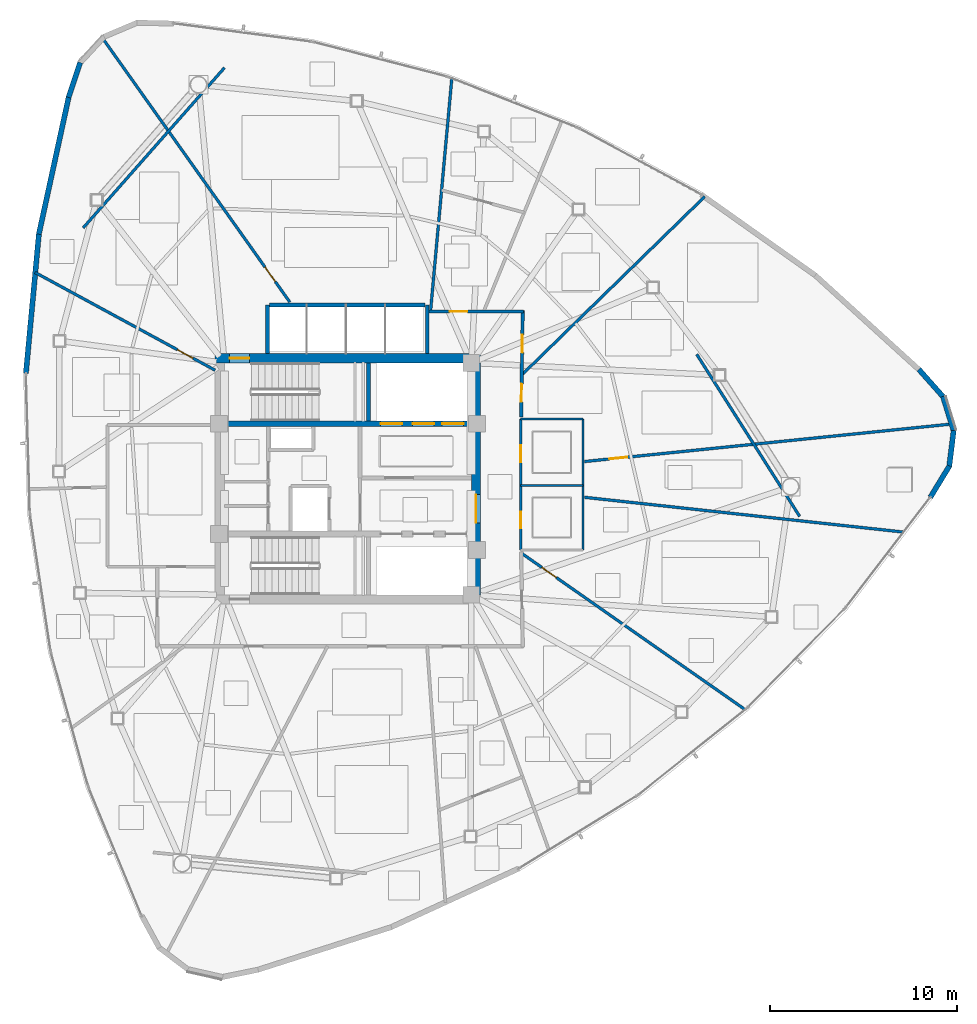
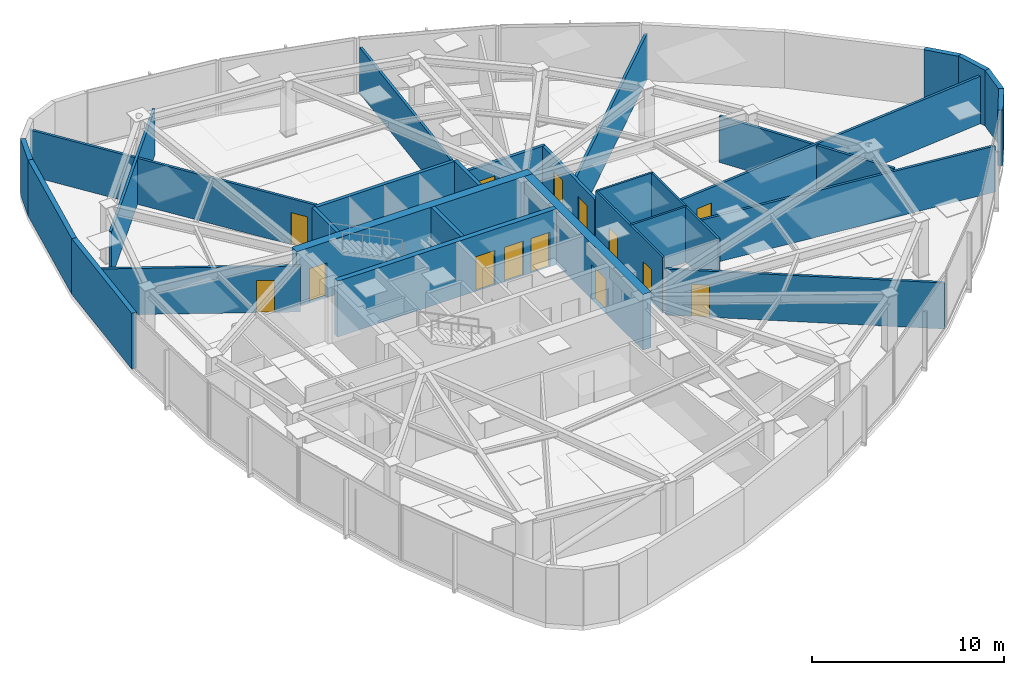
# One storey, part 13 of 18: 29 walls, 14 doors, 14 openings.
"""IFC4 building model written with IfcOpenShell, lengths in metres."""

from ifc_helpers import new_model, si_unit, direction, frame, frame_2d, origin, place, context, subcontext, project, spatial, rectangle, extrude, material, layer, layer_set, type_object, element, fill, save


model = new_model("IFC4")

# Units and contexts
model_context = context("Model", 3, precision=1e-05, world=origin(), true_north=direction((0.0, 1.0)))
body_context = subcontext(model_context, "Body", "Model", "MODEL_VIEW")
ifc_project = project(units=[si_unit("LENGTHUNIT", "METRE"), si_unit("AREAUNIT", "SQUARE_METRE"), si_unit("VOLUMEUNIT", "CUBIC_METRE"), si_unit("PLANEANGLEUNIT", "RADIAN"), si_unit("MASSUNIT", "GRAM", prefix="KILO")], contexts=[model_context])

# Site, building, storey
site_placement = place(None, origin())
site = spatial("IfcSite", under=ifc_project, at=site_placement, CompositionType="ELEMENT")
building_placement = place(site_placement, origin())
building = spatial("IfcBuilding", under=site, at=building_placement, Name="Tavelor Broadcast Tower", CompositionType="ELEMENT")
storey_placement = place(building_placement, frame((0.0, 0.0, 181.050048828125)))
storey = spatial("IfcBuildingStorey", under=building, at=storey_placement, Name="L43", CompositionType="ELEMENT", Elevation=181.050048828125)

# Wall, opening, door
ifc_material_1 = material(Name="Concrete C50/60", Category="concrete")
ifc_layer_1 = layer(ifc_material_1, 0.5)
ifc_layer_set_1 = layer_set([ifc_layer_1], Name="Concrete C50/60")
wall_type_1 = type_object("IfcWallType", Name="Core Shear Wall 500 mm", PredefinedType="SHEAR", material=ifc_layer_set_1)
wall_1_placement = place(storey_placement, frame((42.89990234375, 51.449951171875, 0.0), z_axis=(0.0, 0.0, 1.0), x_axis=(1.0, 0.0, 0.0)))
wall_1 = element("IfcWall", 1, at=wall_1_placement, inside=storey, type_object=wall_type_1, Name="L43 Central Core Shear Wall N", PredefinedType="SHEAR", context=body_context, shape_type="SweptSolid", body=[
    extrude(rectangle(XDim=14.2001953125, YDim=0.5, at=frame_2d((7.10009765625, 0.0))), origin(), (0.0, 0.0, 1.0), 3.550048828125),
])
opening_1_placement = place(wall_1_placement, frame((0.780029296875, 0.0, 0.0)))
opening_1 = element("IfcOpeningElement", 2, at=opening_1_placement, cuts=wall_1, Name="Opening DR11", PredefinedType="OPENING", context=body_context, shape_type="SweptSolid", body=[
    extrude(rectangle(XDim=1.050048828125, YDim=2.199951171875, at=frame_2d((0.52490234375, 1.10009765625))), frame((0.0, 0.260009765625, 0.0), z_axis=(0.0, -1.0, 0.0), x_axis=(1.0, 0.0, 0.0)), (0.0, 0.0, 1.0), 0.52001953125),
])
ifc_material_2 = material(Name="Steel S355", Category="steel")
door_type_1 = type_object("IfcDoorType", Name="Stair Core Fire Escape Door 1050x2200", OperationType="NOTDEFINED", PredefinedType="DOOR", material=ifc_material_2)
door_1_placement = place(opening_1_placement, origin())
door_1 = element("IfcDoor", 3, at=door_1_placement, inside=storey, type_object=door_type_1, Name="L43 Stair ST1 Protected Exit Door", OperationType="SINGLE_SWING_LEFT", OverallHeight=2.199951171875, OverallWidth=1.050048828125, PredefinedType="DOOR", context=body_context, shape_type="SweptSolid", body=[
    extrude(rectangle(XDim=1.050048828125, YDim=2.199951171875, at=frame_2d((0.52490234375, 1.10009765625))), frame((0.0, 0.02490234375, 0.0), z_axis=(0.0, -1.0, 0.0), x_axis=(1.0, 0.0, 0.0)), (0.0, 0.0, 1.0), 0.050048828125),
])
fill(opening_1, door_1)

wall_2_placement = place(storey_placement, frame((56.85009765625, 38.800048828125, 0.0), z_axis=(0.0, 0.0, 1.0), x_axis=(0.0, 1.0, 0.0)))
wall_2 = element("IfcWall", 4, at=wall_2_placement, inside=storey, type_object=wall_type_1, Name="L43 Central Core Shear Wall E", PredefinedType="SHEAR", context=body_context, shape_type="SweptSolid", body=[
    extrude(rectangle(XDim=12.39990234375, YDim=0.5, at=frame_2d((6.199951171875, 0.0))), origin(), (0.0, 0.0, 1.0), 3.550048828125),
])
opening_2_placement = place(wall_2_placement, frame((3.85009765625, 0.0, 0.0)))
opening_2 = element("IfcOpeningElement", 5, at=opening_2_placement, cuts=wall_2, Name="Opening DR14", PredefinedType="OPENING", context=body_context, shape_type="SweptSolid", body=[
    extrude(rectangle(XDim=1.5, YDim=2.199951171875, at=frame_2d((0.75, 1.10009765625))), frame((0.0, 0.260009765625, 0.0), z_axis=(0.0, -1.0, 0.0), x_axis=(1.0, 0.0, 0.0)), (0.0, 0.0, 1.0), 0.52001953125),
])
door_type_2 = type_object("IfcDoorType", Name="Firefighting Lobby Double Fire Door 1500x2200", OperationType="NOTDEFINED", PredefinedType="DOOR", material=ifc_material_2)
door_2_placement = place(opening_2_placement, origin())
door_2 = element("IfcDoor", 6, at=door_2_placement, inside=storey, type_object=door_type_2, Name="L43 Central Core Lobby Fire Door", OperationType="SINGLE_SWING_RIGHT", OverallHeight=2.199951171875, OverallWidth=1.5, PredefinedType="DOOR", context=body_context, shape_type="SweptSolid", body=[
    extrude(rectangle(XDim=1.5, YDim=2.199951171875, at=frame_2d((0.75, 1.10009765625))), frame((0.0, 0.02490234375, 0.0), z_axis=(0.0, -1.0, 0.0), x_axis=(1.0, 0.0, 0.0)), (0.0, 0.0, 1.0), 0.050048828125),
])
fill(opening_2, door_2)

# Wall, openings, doors
ifc_layer_2 = layer(ifc_material_1, 0.300048828125)
ifc_layer_set_2 = layer_set([ifc_layer_2], Name="Concrete C50/60")
wall_type_2 = type_object("IfcWallType", Name="Core Spine Shear Wall 300 mm C50", PredefinedType="SHEAR", material=ifc_layer_set_2)
wall_3_placement = place(storey_placement, frame((43.39990234375, 47.949951171875, 0.0), z_axis=(0.0, 0.0, 1.0), x_axis=(1.0, 0.0, 0.0)))
wall_3 = element("IfcWall", 7, at=wall_3_placement, inside=storey, type_object=wall_type_2, Name="L43 Central Core Shear Wall SP1", PredefinedType="SHEAR", context=body_context, shape_type="SweptSolid", body=[
    extrude(rectangle(XDim=13.2001953125, YDim=0.300048828125, at=frame_2d((6.60009765625, 0.0))), origin(), (0.0, 0.0, 1.0), 3.550048828125),
])
opening_3_placement = place(wall_3_placement, frame((8.344970703125, 0.0, 0.0)))
opening_3 = element("IfcOpeningElement", 8, at=opening_3_placement, cuts=wall_3, Name="Opening LD02", PredefinedType="OPENING", context=body_context, shape_type="SweptSolid", body=[
    extrude(rectangle(XDim=1.14990234375, YDim=2.199951171875, at=frame_2d((0.574951171875, 1.10009765625))), frame((0.0, 0.16015625, 0.0), z_axis=(0.0, -1.0, 0.0), x_axis=(1.0, 0.0, 0.0)), (0.0, 0.0, 1.0), 0.320068359375),
])
opening_4_placement = place(wall_3_placement, frame((10.06494140625, 0.0, 0.0)))
opening_4 = element("IfcOpeningElement", 9, at=opening_4_placement, cuts=wall_3, Name="Opening LD02", PredefinedType="OPENING", context=body_context, shape_type="SweptSolid", body=[
    extrude(rectangle(XDim=1.14990234375, YDim=2.199951171875, at=frame_2d((0.574951171875, 1.10009765625))), frame((0.0, 0.16015625, 0.0), z_axis=(0.0, -1.0, 0.0), x_axis=(1.0, 0.0, 0.0)), (0.0, 0.0, 1.0), 0.320068359375),
])
opening_5_placement = place(wall_3_placement, frame((11.64501953125, 0.0, 0.0)))
opening_5 = element("IfcOpeningElement", 10, at=opening_5_placement, cuts=wall_3, Name="Opening LD03", PredefinedType="OPENING", context=body_context, shape_type="SweptSolid", body=[
    extrude(rectangle(XDim=1.14990234375, YDim=2.199951171875, at=frame_2d((0.574951171875, 1.10009765625))), frame((0.0, 0.16015625, 0.0), z_axis=(0.0, -1.0, 0.0), x_axis=(1.0, 0.0, 0.0)), (0.0, 0.0, 1.0), 0.320068359375),
])
ifc_material_3 = material(Name="Reinforced Brushed Stainless Steel", Category="concrete")
door_type_3 = type_object("IfcDoorType", Name="Broadcast Goods Lift Sliding Landing Door 1250x2200", OperationType="NOTDEFINED", PredefinedType="DOOR", material=ifc_material_3)
door_3_placement = place(opening_5_placement, origin())
door_3 = element("IfcDoor", 11, at=door_3_placement, inside=storey, type_object=door_type_3, Name="L43 Lift SVL1 Sliding Landing Door", OperationType="SLIDING_TO_LEFT", OverallHeight=2.199951171875, OverallWidth=1.14990234375, PredefinedType="DOOR", context=body_context, shape_type="SweptSolid", body=[
    extrude(rectangle(XDim=1.14990234375, YDim=2.199951171875, at=frame_2d((0.574951171875, 1.10009765625))), frame((0.0, 0.02490234375, 0.0), z_axis=(0.0, -1.0, 0.0), x_axis=(1.0, 0.0, 0.0)), (0.0, 0.0, 1.0), 0.050048828125),
])
fill(opening_5, door_3)
ifc_material_4 = material(Name="Fire-Rated Stainless Steel", Category="steel")
door_type_4 = type_object("IfcDoorType", Name="Firefighting Lift Sliding Landing Door 1200x2200", OperationType="NOTDEFINED", PredefinedType="DOOR", material=ifc_material_4)
door_4_placement = place(opening_3_placement, origin())
door_4 = element("IfcDoor", 12, at=door_4_placement, inside=storey, type_object=door_type_4, Name="L43 Lift FFL1 Sliding Landing Door", OperationType="SLIDING_TO_LEFT", OverallHeight=2.199951171875, OverallWidth=1.14990234375, PredefinedType="DOOR", context=body_context, shape_type="SweptSolid", body=[
    extrude(rectangle(XDim=1.14990234375, YDim=2.199951171875, at=frame_2d((0.574951171875, 1.10009765625))), frame((0.0, 0.02490234375, 0.0), z_axis=(0.0, -1.0, 0.0), x_axis=(1.0, 0.0, 0.0)), (0.0, 0.0, 1.0), 0.050048828125),
])
fill(opening_3, door_4)
door_5_placement = place(opening_4_placement, origin())
door_5 = element("IfcDoor", 13, at=door_5_placement, inside=storey, type_object=door_type_4, Name="L43 Lift FFL2 Sliding Landing Door", OperationType="SLIDING_TO_LEFT", OverallHeight=2.199951171875, OverallWidth=1.14990234375, PredefinedType="DOOR", context=body_context, shape_type="SweptSolid", body=[
    extrude(rectangle(XDim=1.14990234375, YDim=2.199951171875, at=frame_2d((0.574951171875, 1.10009765625))), frame((0.0, 0.02490234375, 0.0), z_axis=(0.0, -1.0, 0.0), x_axis=(1.0, 0.0, 0.0)), (0.0, 0.0, 1.0), 0.050048828125),
])
fill(opening_4, door_5)

# Wall, opening, door
ifc_material_5 = material(Name="Calcium Silicate Fire Board 180 mm", Category="gypsum")
ifc_layer_3 = layer(ifc_material_5, 0.179931640625)
ifc_layer_set_3 = layer_set([ifc_layer_3], Name="Calcium Silicate Fire Board 180 mm")
wall_type_3 = type_object("IfcWallType", Name="Fire-Rated Corridor Partition Wall 180 mm", PredefinedType="PARTITIONING", material=ifc_layer_set_3)
wall_4_placement = place(storey_placement, frame((54.300048828125, 53.949951171875, 0.0), z_axis=(0.0, 0.0, 1.0), x_axis=(1.0, 0.0, 0.0)))
wall_4 = element("IfcWall", 14, at=wall_4_placement, inside=storey, type_object=wall_type_3, Name="L43 Corridor Compartment Wall 01", PredefinedType="PARTITIONING", context=body_context, shape_type="SweptSolid", body=[
    extrude(rectangle(XDim=5.099853515625, YDim=0.179931640625, at=frame_2d((2.5498046875, 0.0))), origin(), (0.0, 0.0, 1.0), 2.93505859375),
])
opening_6_placement = place(wall_4_placement, frame((1.141845703125, 0.0, 0.0)))
opening_6 = element("IfcOpeningElement", 15, at=opening_6_placement, cuts=wall_4, Name="Opening DR18", PredefinedType="OPENING", context=body_context, shape_type="SweptSolid", body=[
    extrude(rectangle(XDim=0.949951171875, YDim=2.050048828125, at=frame_2d((0.47509765625, 1.02490234375))), frame((0.0, 0.10009765625, 0.0), z_axis=(0.0, -1.0, 0.0), x_axis=(1.0, 0.0, 0.0)), (0.0, 0.0, 1.0), 0.199951171875),
])
ifc_material_6 = material(Name="Timber Solid Core Hardwood", Category="wood")
door_type_5 = type_object("IfcDoorType", Name="Corridor Rated Compartment Door 950x2050", OperationType="NOTDEFINED", PredefinedType="DOOR", material=ifc_material_6)
door_6_placement = place(opening_6_placement, origin())
door_6 = element("IfcDoor", 16, at=door_6_placement, inside=storey, type_object=door_type_5, Name="L43 Documentary Research Study Door R14", OperationType="SINGLE_SWING_RIGHT", OverallHeight=2.050048828125, OverallWidth=0.949951171875, PredefinedType="DOOR", context=body_context, shape_type="SweptSolid", body=[
    extrude(rectangle(XDim=0.949951171875, YDim=2.050048828125, at=frame_2d((0.47509765625, 1.02490234375))), frame((0.0, 0.02490234375, 0.0), z_axis=(0.0, -1.0, 0.0), x_axis=(1.0, 0.0, 0.0)), (0.0, 0.0, 1.0), 0.050048828125),
])
fill(opening_6, door_6)

# Wall, openings, doors
wall_5_placement = place(storey_placement, frame((59.3505859375, 54.0, 0.0), z_axis=(0.0, 0.0, 1.0), x_axis=(-0.014903899768, -0.999888930718, 0.0)))
wall_5 = element("IfcWall", 17, at=wall_5_placement, inside=storey, type_object=wall_type_3, Name="L43 Corridor Compartment Wall 02", PredefinedType="PARTITIONING", context=body_context, shape_type="SweptSolid", body=[
    extrude(rectangle(XDim=5.70068359375, YDim=0.179931640625, at=frame_2d((2.850341796875, 0.0))), origin(), (0.0, 0.0, 1.0), 2.93505859375),
])
opening_7_placement = place(wall_5_placement, frame((1.29248046875, 0.0, 0.0)))
opening_7 = element("IfcOpeningElement", 18, at=opening_7_placement, cuts=wall_5, Name="Opening DR18", PredefinedType="OPENING", context=body_context, shape_type="SweptSolid", body=[
    extrude(rectangle(XDim=0.949951171875, YDim=2.050048828125, at=frame_2d((0.47509765625, 1.02490234375))), frame((0.0, 0.10009765625, 0.0), z_axis=(0.0, -1.0, 0.0), x_axis=(1.0, 0.0, 0.0)), (0.0, 0.0, 1.0), 0.199951171875),
])
opening_8_placement = place(wall_5_placement, frame((3.92724609375, 0.0, 0.0)))
opening_8 = element("IfcOpeningElement", 19, at=opening_8_placement, cuts=wall_5, Name="Opening DR18", PredefinedType="OPENING", context=body_context, shape_type="SweptSolid", body=[
    extrude(rectangle(XDim=0.949951171875, YDim=2.050048828125, at=frame_2d((0.47509765625, 1.02490234375))), frame((0.0, 0.10009765625, 0.0), z_axis=(0.0, -1.0, 0.0), x_axis=(1.0, 0.0, 0.0)), (0.0, 0.0, 1.0), 0.199951171875),
])
door_7_placement = place(opening_7_placement, origin())
door_7 = element("IfcDoor", 20, at=door_7_placement, inside=storey, type_object=door_type_5, Name="L43 Newsroom Huddle Room Door R9", OperationType="SINGLE_SWING_LEFT", OverallHeight=2.050048828125, OverallWidth=0.949951171875, PredefinedType="DOOR", context=body_context, shape_type="SweptSolid", body=[
    extrude(rectangle(XDim=0.949951171875, YDim=2.050048828125, at=frame_2d((0.47509765625, 1.02490234375))), frame((0.0, 0.02490234375, 0.0), z_axis=(0.0, -1.0, 0.0), x_axis=(1.0, 0.0, 0.0)), (0.0, 0.0, 1.0), 0.050048828125),
])
fill(opening_7, door_7)
door_8_placement = place(opening_8_placement, origin())
door_8 = element("IfcDoor", 21, at=door_8_placement, inside=storey, type_object=door_type_5, Name="L43 Editorial Quiet Study Door R10", OperationType="SINGLE_SWING_RIGHT", OverallHeight=2.050048828125, OverallWidth=0.949951171875, PredefinedType="DOOR", context=body_context, shape_type="SweptSolid", body=[
    extrude(rectangle(XDim=0.949951171875, YDim=2.050048828125, at=frame_2d((0.47509765625, 1.02490234375))), frame((0.0, 0.02490234375, 0.0), z_axis=(0.0, -1.0, 0.0), x_axis=(1.0, 0.0, 0.0)), (0.0, 0.0, 1.0), 0.050048828125),
])
fill(opening_8, door_8)

# Walls
ifc_material_7 = material(Name="Precast Concrete C40/50", Category="concrete")
ifc_layer_4 = layer(ifc_material_7, 0.280029296875)
ifc_layer_set_4 = layer_set([ifc_layer_4], Name="Precast Concrete C40/50")
wall_type_4 = type_object("IfcWallType", Name="Insulated Precast Terracotta Facade Wall 280 mm", PredefinedType="STANDARD", material=ifc_layer_set_4)
wall_6_placement = place(storey_placement, frame((35.681884765625, 67.26611328125, 0.0), z_axis=(0.0, 0.0, 1.0), x_axis=(-0.316526125357, -0.948583792802, 0.0)))
element("IfcWall", 22, at=wall_6_placement, inside=storey, type_object=wall_type_4, Name="L43 Rounded Corner Structural Cladding Pier 04", PredefinedType="STANDARD", context=body_context, shape_type="SweptSolid", body=[
    extrude(rectangle(XDim=1.9638671875, YDim=0.280029296875, at=frame_2d((0.98193359375, 0.0))), origin(), (0.0, 0.0, 1.0), 3.550048828125),
])
wall_7_placement = place(storey_placement, frame((35.068359375, 65.43212890625, 0.0), z_axis=(0.0, 0.0, 1.0), x_axis=(-0.212630512699, -0.977132675264, 0.0)))
element("IfcWall", 23, at=wall_7_placement, inside=storey, type_object=wall_type_4, Name="L43 Rounded Corner Structural Cladding Pier 05", PredefinedType="STANDARD", context=body_context, shape_type="SweptSolid", body=[
    extrude(rectangle(XDim=7.518310546875, YDim=0.280029296875, at=frame_2d((3.75927734375, 0.0))), origin(), (0.0, 0.0, 1.0), 3.550048828125),
])
wall_8_placement = place(storey_placement, frame((33.474365234375, 58.115234375, 0.0), z_axis=(0.0, 0.0, 1.0), x_axis=(-0.092822834557, -0.995682640898, 0.0)))
element("IfcWall", 24, at=wall_8_placement, inside=storey, type_object=wall_type_4, Name="L43 Rounded Corner Structural Cladding Pier 06", PredefinedType="STANDARD", context=body_context, shape_type="SweptSolid", body=[
    extrude(rectangle(XDim=7.506591796875, YDim=0.280029296875, at=frame_2d((3.75341796875, 0.0))), origin(), (0.0, 0.0, 1.0), 3.550048828125),
])
wall_9_placement = place(storey_placement, frame((81.156005859375, 44.0185546875, 0.0), z_axis=(0.0, 0.0, 1.0), x_axis=(0.520311770365, 0.853976382355, 0.0)))
element("IfcWall", 25, at=wall_9_placement, inside=storey, type_object=wall_type_4, Name="L43 Rounded Corner Structural Cladding Pier 21", PredefinedType="STANDARD", context=body_context, shape_type="SweptSolid", body=[
    extrude(rectangle(XDim=1.952880859375, YDim=0.280029296875, at=frame_2d((0.9765625, 0.0))), origin(), (0.0, 0.0, 1.0), 3.550048828125),
])
for number, where, z_axis, x_axis, name in (
    (26, (82.16259765625, 45.658447265625, 0.0), (0.0, 0.0, 1.0), (0.122734539687, 0.992439536077, 0.0), "L43 Rounded Corner Structural Cladding Pier 22"),
    (27, (82.4033203125, 47.555908203125, 0.0), (0.0, 0.0, 1.0), (-0.296541612047, 0.955019932946, 0.0), "L43 Rounded Corner Structural Cladding Pier 23"),
):
    element("IfcWall", number, at=place(storey_placement, frame(where, z_axis=z_axis, x_axis=x_axis)), inside=storey, type_object=wall_type_4, Name=name, PredefinedType="STANDARD", context=body_context, shape_type="SweptSolid", body=[
        extrude(rectangle(XDim=1.94140625, YDim=0.280029296875, at=frame_2d((0.970703125, 0.0))), origin(), (0.0, 0.0, 1.0), 3.550048828125),
    ])
wall_10_placement = place(storey_placement, frame((81.842041015625, 49.384521484375, 0.0), z_axis=(0.0, 0.0, 1.0), x_axis=(-0.663305931854, 0.748348341862, 0.0)))
element("IfcWall", 28, at=wall_10_placement, inside=storey, type_object=wall_type_4, Name="L43 Rounded Corner Structural Cladding Pier 24", PredefinedType="STANDARD", context=body_context, shape_type="SweptSolid", body=[
    extrude(rectangle(XDim=1.963623046875, YDim=0.280029296875, at=frame_2d((0.98193359375, 0.0))), origin(), (0.0, 0.0, 1.0), 3.550048828125),
])
ifc_material_8 = material(Name="Gypsum Acoustic Plasterboard 150 mm", Category="gypsum")
ifc_layer_5 = layer(ifc_material_8, 0.14990234375)
ifc_layer_set_5 = layer_set([ifc_layer_5], Name="Gypsum Acoustic Plasterboard 150 mm")
wall_type_5 = type_object("IfcWallType", Name="Interior Acoustic Partition Wall 150 mm", PredefinedType="PARTITIONING", material=ifc_layer_set_5)
wall_11_placement = place(storey_placement, frame((43.399658203125, 66.988525390625, 0.0), z_axis=(0.0, 0.0, 1.0), x_axis=(-0.661622343701, -0.749837231881, 0.0)))
element("IfcWall", 29, at=wall_11_placement, inside=storey, type_object=wall_type_5, Name="L43 Corner Tube Brace Furring Wall 1", PredefinedType="PARTITIONING", context=body_context, shape_type="SweptSolid", body=[
    extrude(rectangle(XDim=11.42724609375, YDim=0.14990234375, at=frame_2d((5.713623046875, 0.0))), origin(), (0.0, 0.0, 1.0), 2.93505859375),
])
wall_12_placement = place(storey_placement, frame((74.16259765625, 42.9931640625, 0.0), z_axis=(0.0, 0.0, 1.0), x_axis=(-0.53628142437, 0.844039237166, 0.0)))
element("IfcWall", 30, at=wall_12_placement, inside=storey, type_object=wall_type_5, Name="L43 Corner Tube Brace Furring Wall 3", PredefinedType="PARTITIONING", context=body_context, shape_type="SweptSolid", body=[
    extrude(rectangle(XDim=10.266845703125, YDim=0.14990234375, at=frame_2d((5.13330078125, 0.0))), origin(), (0.0, 0.0, 1.0), 2.93505859375),
])

# Wall, opening, door
wall_13_placement = place(storey_placement, frame((42.89990234375, 50.8095703125, 0.0), z_axis=(0.0, 0.0, 1.0), x_axis=(-0.878814456747, 0.477163651815, 0.0)))
wall_13 = element("IfcWall", 31, at=wall_13_placement, inside=storey, type_object=wall_type_5, Name="L43 Radial Compartment Wall 01", PredefinedType="PARTITIONING", context=body_context, shape_type="SweptSolid", body=[
    extrude(rectangle(XDim=10.95703125, YDim=0.14990234375, at=frame_2d((5.478515625, 0.0))), origin(), (0.0, 0.0, 1.0), 2.93505859375),
])
opening_9_placement = place(wall_13_placement, frame((1.35009765625, 0.0, 0.0)))
opening_9 = element("IfcOpeningElement", 32, at=opening_9_placement, cuts=wall_13, Name="Opening DR18", PredefinedType="OPENING", context=body_context, shape_type="SweptSolid", body=[
    extrude(rectangle(XDim=0.949951171875, YDim=2.050048828125, at=frame_2d((0.47509765625, 1.02490234375))), frame((0.0, 0.0849609375, 0.0), z_axis=(0.0, -1.0, 0.0), x_axis=(1.0, 0.0, 0.0)), (0.0, 0.0, 1.0), 0.169921875),
])
door_9_placement = place(opening_9_placement, origin())
door_9 = element("IfcDoor", 33, at=door_9_placement, inside=storey, type_object=door_type_5, Name="L43 Suite Connecting Door 6", OperationType="SINGLE_SWING_LEFT", OverallHeight=2.050048828125, OverallWidth=0.949951171875, PredefinedType="DOOR", context=body_context, shape_type="SweptSolid", body=[
    extrude(rectangle(XDim=0.949951171875, YDim=2.050048828125, at=frame_2d((0.47509765625, 1.02490234375))), frame((0.0, 0.02490234375, 0.0), z_axis=(0.0, -1.0, 0.0), x_axis=(1.0, 0.0, 0.0)), (0.0, 0.0, 1.0), 0.050048828125),
])
fill(opening_9, door_9)

wall_14_placement = place(storey_placement, frame((59.266845703125, 41.03662109375, 0.0), z_axis=(0.0, 0.0, 1.0), x_axis=(0.819456065971, -0.573142003297, 0.0)))
wall_14 = element("IfcWall", 34, at=wall_14_placement, inside=storey, type_object=wall_type_5, Name="L43 Radial Compartment Wall 07", PredefinedType="PARTITIONING", context=body_context, shape_type="SweptSolid", body=[
    extrude(rectangle(XDim=14.630859375, YDim=0.14990234375, at=frame_2d((7.3154296875, 0.0))), origin(), (0.0, 0.0, 1.0), 2.93505859375),
])
opening_10_placement = place(wall_14_placement, frame((1.35009765625, 0.0, 0.0)))
opening_10 = element("IfcOpeningElement", 35, at=opening_10_placement, cuts=wall_14, Name="Opening DR18", PredefinedType="OPENING", context=body_context, shape_type="SweptSolid", body=[
    extrude(rectangle(XDim=0.949951171875, YDim=2.050048828125, at=frame_2d((0.47509765625, 1.02490234375))), frame((0.0, 0.0849609375, 0.0), z_axis=(0.0, -1.0, 0.0), x_axis=(1.0, 0.0, 0.0)), (0.0, 0.0, 1.0), 0.169921875),
])
door_10_placement = place(opening_10_placement, origin())
door_10 = element("IfcDoor", 36, at=door_10_placement, inside=storey, type_object=door_type_5, Name="L43 Suite Connecting Door 12", OperationType="SINGLE_SWING_LEFT", OverallHeight=2.050048828125, OverallWidth=0.949951171875, PredefinedType="DOOR", context=body_context, shape_type="SweptSolid", body=[
    extrude(rectangle(XDim=0.949951171875, YDim=2.050048828125, at=frame_2d((0.47509765625, 1.02490234375))), frame((0.0, 0.02490234375, 0.0), z_axis=(0.0, -1.0, 0.0), x_axis=(1.0, 0.0, 0.0)), (0.0, 0.0, 1.0), 0.050048828125),
])
fill(opening_10, door_10)

# Wall
wall_15_placement = place(storey_placement, frame((62.64990234375, 44.013671875, 0.0), z_axis=(0.0, 0.0, 1.0), x_axis=(0.994111306541, -0.108363786423, 0.0)))
element("IfcWall", 37, at=wall_15_placement, inside=storey, type_object=wall_type_5, Name="L43 Radial Compartment Wall 08", PredefinedType="PARTITIONING", context=body_context, shape_type="SweptSolid", body=[
    extrude(rectangle(XDim=17.185791015625, YDim=0.14990234375, at=frame_2d((8.5927734375, 0.0))), origin(), (0.0, 0.0, 1.0), 2.93505859375),
])

# Wall, opening, door
wall_16_placement = place(storey_placement, frame((62.64990234375, 45.9248046875, 0.0), z_axis=(0.0, 0.0, 1.0), x_axis=(0.994817440934, 0.101677230555, 0.0)))
wall_16 = element("IfcWall", 38, at=wall_16_placement, inside=storey, type_object=wall_type_5, Name="L43 Radial Compartment Wall 09", PredefinedType="PARTITIONING", context=body_context, shape_type="SweptSolid", body=[
    extrude(rectangle(XDim=19.749267578125, YDim=0.14990234375, at=frame_2d((9.87451171875, 0.0))), origin(), (0.0, 0.0, 1.0), 3.02490234375),
])
opening_11_placement = place(wall_16_placement, frame((1.35009765625, 0.0, 0.0)))
opening_11 = element("IfcOpeningElement", 39, at=opening_11_placement, cuts=wall_16, Name="Opening DR18", PredefinedType="OPENING", context=body_context, shape_type="SweptSolid", body=[
    extrude(rectangle(XDim=0.949951171875, YDim=2.050048828125, at=frame_2d((0.47509765625, 1.02490234375))), frame((0.0, 0.0849609375, 0.0), z_axis=(0.0, -1.0, 0.0), x_axis=(1.0, 0.0, 0.0)), (0.0, 0.0, 1.0), 0.169921875),
])
door_11_placement = place(opening_11_placement, origin())
door_11 = element("IfcDoor", 40, at=door_11_placement, inside=storey, type_object=door_type_5, Name="L43 Suite Connecting Door 11", OperationType="SINGLE_SWING_RIGHT", OverallHeight=2.050048828125, OverallWidth=0.949951171875, PredefinedType="DOOR", context=body_context, shape_type="SweptSolid", body=[
    extrude(rectangle(XDim=0.949951171875, YDim=2.050048828125, at=frame_2d((0.47509765625, 1.02490234375))), frame((0.0, 0.02490234375, 0.0), z_axis=(0.0, -1.0, 0.0), x_axis=(1.0, 0.0, 0.0)), (0.0, 0.0, 1.0), 0.050048828125),
])
fill(opening_11, door_11)

# Walls
wall_17_placement = place(storey_placement, frame((59.29931640625, 50.555908203125, 0.0), z_axis=(0.0, 0.0, 1.0), x_axis=(0.716064445976, 0.698034174814, 0.0)))
element("IfcWall", 41, at=wall_17_placement, inside=storey, type_object=wall_type_5, Name="L43 Radial Compartment Wall 10", PredefinedType="PARTITIONING", context=body_context, shape_type="SweptSolid", body=[
    extrude(rectangle(XDim=13.662353515625, YDim=0.14990234375, at=frame_2d((6.8310546875, 0.0))), origin(), (0.0, 0.0, 1.0), 2.93505859375),
])
wall_18_placement = place(storey_placement, frame((54.418212890625, 53.949951171875, 0.0), z_axis=(0.0, 0.0, 1.0), x_axis=(0.091045172971, 0.995846763553, 0.0)))
element("IfcWall", 42, at=wall_18_placement, inside=storey, type_object=wall_type_5, Name="L43 Radial Compartment Wall 12", PredefinedType="PARTITIONING", context=body_context, shape_type="SweptSolid", body=[
    extrude(rectangle(XDim=12.53076171875, YDim=0.14990234375, at=frame_2d((6.265380859375, 0.0))), origin(), (0.0, 0.0, 1.0), 2.93505859375),
])

# Wall, opening, door
wall_19_placement = place(storey_placement, frame((46.8955078125, 54.449951171875, 0.0), z_axis=(0.0, 0.0, 1.0), x_axis=(-0.578633530583, 0.815587663765, 0.0)))
wall_19 = element("IfcWall", 43, at=wall_19_placement, inside=storey, type_object=wall_type_5, Name="L43 Radial Compartment Wall 13", PredefinedType="PARTITIONING", context=body_context, shape_type="SweptSolid", body=[
    extrude(rectangle(XDim=17.3095703125, YDim=0.14990234375, at=frame_2d((8.65478515625, 0.0))), origin(), (0.0, 0.0, 1.0), 2.93505859375),
])
opening_12_placement = place(wall_19_placement, frame((1.35009765625, 0.0, 0.0)))
opening_12 = element("IfcOpeningElement", 44, at=opening_12_placement, cuts=wall_19, Name="Opening DR18", PredefinedType="OPENING", context=body_context, shape_type="SweptSolid", body=[
    extrude(rectangle(XDim=0.949951171875, YDim=2.050048828125, at=frame_2d((0.47509765625, 1.02490234375))), frame((0.0, 0.0849609375, 0.0), z_axis=(0.0, -1.0, 0.0), x_axis=(1.0, 0.0, 0.0)), (0.0, 0.0, 1.0), 0.169921875),
])
door_12_placement = place(opening_12_placement, origin())
door_12 = element("IfcDoor", 45, at=door_12_placement, inside=storey, type_object=door_type_5, Name="L43 Suite Connecting Door 7", OperationType="SINGLE_SWING_LEFT", OverallHeight=2.050048828125, OverallWidth=0.949951171875, PredefinedType="DOOR", context=body_context, shape_type="SweptSolid", body=[
    extrude(rectangle(XDim=0.949951171875, YDim=2.050048828125, at=frame_2d((0.47509765625, 1.02490234375))), frame((0.0, 0.02490234375, 0.0), z_axis=(0.0, -1.0, 0.0), x_axis=(1.0, 0.0, 0.0)), (0.0, 0.0, 1.0), 0.050048828125),
])
fill(opening_12, door_12)

# Walls
ifc_material_9 = material(Name="Concrete Blockwork 200 mm", Category="masonry")
ifc_layer_6 = layer(ifc_material_9, 0.199951171875)
ifc_layer_set_6 = layer_set([ifc_layer_6], Name="Concrete Blockwork 200 mm")
wall_type_6 = type_object("IfcWallType", Name="Lift Hoistway Rated Front Wall 200 mm", PredefinedType="PARTITIONING", material=ifc_layer_set_6)
wall_20_placement = place(storey_placement, frame((45.820068359375, 54.300048828125, 0.0), z_axis=(0.0, 0.0, 1.0), x_axis=(1.0, 0.0, 0.0)))
element("IfcWall", 46, at=wall_20_placement, inside=storey, type_object=wall_type_6, Name="L43 High-Rise Lift Hoistway Front Wall", PredefinedType="PARTITIONING", context=body_context, shape_type="SweptSolid", body=[
    extrude(rectangle(XDim=8.309814453125, YDim=0.199951171875, at=frame_2d((4.15478515625, 0.0))), origin(), (0.0, 0.0, 1.0), 3.550048828125),
])
ifc_layer_7 = layer(ifc_material_9, 0.199951171875)
ifc_layer_set_7 = layer_set([ifc_layer_7], Name="Concrete Blockwork 200 mm")
wall_type_7 = type_object("IfcWallType", Name="Lift and Riser Shaft Enclosure Wall 200 mm", PredefinedType="PARTITIONING", material=ifc_layer_set_7)
for number, where, z_axis, x_axis, name in (
    (47, (45.699951171875, 51.699951171875, 0.0), (0.0, 0.0, 1.0), (0.0, 1.0, 0.0), "L43 High-Rise Lift Shaft West Wall"),
    (48, (54.25, 51.699951171875, 0.0), (0.0, 0.0, 1.0), (0.0, 1.0, 0.0), "L43 High-Rise Lift Shaft East Wall"),
):
    element("IfcWall", number, at=place(storey_placement, frame(where, z_axis=z_axis, x_axis=x_axis)), inside=storey, type_object=wall_type_7, Name=name, PredefinedType="PARTITIONING", context=body_context, shape_type="SweptSolid", body=[
        extrude(rectangle(XDim=2.60009765625, YDim=0.199951171875, at=frame_2d((1.300048828125, 0.0))), origin(), (0.0, 0.0, 1.0), 3.550048828125),
    ])

# Wall, openings, doors
ifc_material_10 = material(Name="Moisture-Resistant Plasterboard 120 mm", Category="gypsum")
ifc_layer_8 = layer(ifc_material_10, 0.1201171875)
ifc_layer_set_8 = layer_set([ifc_layer_8], Name="Moisture-Resistant Plasterboard 120 mm")
wall_type_8 = type_object("IfcWallType", Name="Moisture-Resistant Wet-Room Partition 120 mm", PredefinedType="PARTITIONING", material=ifc_layer_set_8)
wall_21_placement = place(storey_placement, frame((59.239990234375, 41.199951171875, 0.0), z_axis=(0.0, 0.0, 1.0), x_axis=(0.0, 1.0, 0.0)))
wall_21 = element("IfcWall", 49, at=wall_21_placement, inside=storey, type_object=wall_type_8, Name="L43 Floor Washrooms West Wall", PredefinedType="PARTITIONING", context=body_context, shape_type="SweptSolid", body=[
    extrude(rectangle(XDim=7.0, YDim=0.1201171875, at=frame_2d((3.5, 0.0))), origin(), (0.0, 0.0, 1.0), 3.550048828125),
])
opening_13_placement = place(wall_21_placement, frame((1.14990234375, 0.0, 0.0)))
opening_13 = element("IfcOpeningElement", 50, at=opening_13_placement, cuts=wall_21, Name="Opening DR32", PredefinedType="OPENING", context=body_context, shape_type="SweptSolid", body=[
    extrude(rectangle(XDim=0.89990234375, YDim=2.050048828125, at=frame_2d((0.449951171875, 1.02490234375))), frame((0.0, 0.070068359375, 0.0), z_axis=(0.0, -1.0, 0.0), x_axis=(1.0, 0.0, 0.0)), (0.0, 0.0, 1.0), 0.14013671875),
])
opening_14_placement = place(wall_21_placement, frame((4.699951171875, 0.0, 0.0)))
opening_14 = element("IfcOpeningElement", 51, at=opening_14_placement, cuts=wall_21, Name="Opening DR32", PredefinedType="OPENING", context=body_context, shape_type="SweptSolid", body=[
    extrude(rectangle(XDim=0.89990234375, YDim=2.050048828125, at=frame_2d((0.449951171875, 1.02490234375))), frame((0.0, 0.070068359375, 0.0), z_axis=(0.0, -1.0, 0.0), x_axis=(1.0, 0.0, 0.0)), (0.0, 0.0, 1.0), 0.14013671875),
])
door_type_6 = type_object("IfcDoorType", Name="Accessible Washroom Door 900x2050", OperationType="NOTDEFINED", PredefinedType="DOOR", material=ifc_material_6)
door_13_placement = place(opening_13_placement, origin())
door_13 = element("IfcDoor", 52, at=door_13_placement, inside=storey, type_object=door_type_6, Name="L43 Accessible WC Door", OperationType="SINGLE_SWING_LEFT", OverallHeight=2.050048828125, OverallWidth=0.89990234375, PredefinedType="DOOR", context=body_context, shape_type="SweptSolid", body=[
    extrude(rectangle(XDim=0.89990234375, YDim=2.050048828125, at=frame_2d((0.449951171875, 1.02490234375))), frame((0.0, 0.02490234375, 0.0), z_axis=(0.0, -1.0, 0.0), x_axis=(1.0, 0.0, 0.0)), (0.0, 0.0, 1.0), 0.050048828125),
])
fill(opening_13, door_13)
door_14_placement = place(opening_14_placement, origin())
door_14 = element("IfcDoor", 53, at=door_14_placement, inside=storey, type_object=door_type_6, Name="L43 Staff Washroom WC Door", OperationType="SINGLE_SWING_RIGHT", OverallHeight=2.050048828125, OverallWidth=0.89990234375, PredefinedType="DOOR", context=body_context, shape_type="SweptSolid", body=[
    extrude(rectangle(XDim=0.89990234375, YDim=2.050048828125, at=frame_2d((0.449951171875, 1.02490234375))), frame((0.0, 0.02490234375, 0.0), z_axis=(0.0, -1.0, 0.0), x_axis=(1.0, 0.0, 0.0)), (0.0, 0.0, 1.0), 0.050048828125),
])
fill(opening_14, door_14)

# Walls
for number, where, z_axis, x_axis, name in (
    (54, (59.239990234375, 44.64990234375, 0.0), (0.0, 0.0, 1.0), (1.0, 0.0, 0.0), "L43 Floor Washrooms Divider Wall"),
    (55, (59.239990234375, 48.199951171875, 0.0), (0.0, 0.0, 1.0), (1.0, 0.0, 0.0), "L43 Floor Washrooms North Wall"),
):
    element("IfcWall", number, at=place(storey_placement, frame(where, z_axis=z_axis, x_axis=x_axis)), inside=storey, type_object=wall_type_8, Name=name, PredefinedType="PARTITIONING", context=body_context, shape_type="SweptSolid", body=[
        extrude(rectangle(XDim=3.340087890625, YDim=0.1201171875, at=frame_2d((1.669921875, 0.0))), origin(), (0.0, 0.0, 1.0), 3.550048828125),
    ])
wall_22_placement = place(storey_placement, frame((62.580078125, 41.199951171875, 0.0), z_axis=(0.0, 0.0, 1.0), x_axis=(0.0, 1.0, 0.0)))
element("IfcWall", 56, at=wall_22_placement, inside=storey, type_object=wall_type_8, Name="L43 Floor Washrooms East Wall", PredefinedType="PARTITIONING", context=body_context, shape_type="SweptSolid", body=[
    extrude(rectangle(XDim=7.0, YDim=0.1201171875, at=frame_2d((3.5, 0.0))), origin(), (0.0, 0.0, 1.0), 3.550048828125),
])
ifc_material_11 = material(Name="Concrete C40/50", Category="concrete")
ifc_layer_9 = layer(ifc_material_11, 0.219970703125)
ifc_layer_set_9 = layer_set([ifc_layer_9], Name="Concrete C40/50")
wall_type_9 = type_object("IfcWallType", Name="Structural Stairwell Shear Wall 220 mm", PredefinedType="SHEAR", material=ifc_layer_set_9)
wall_23_placement = place(storey_placement, frame((51.110107421875, 48.10009765625, 0.0), z_axis=(0.0, 0.0, 1.0), x_axis=(0.0, 1.0, 0.0)))
element("IfcWall", 57, at=wall_23_placement, inside=storey, type_object=wall_type_9, Name="L43 Stair ST1 Structural Shaft Wall", PredefinedType="SHEAR", context=body_context, shape_type="SweptSolid", body=[
    extrude(rectangle(XDim=3.099853515625, YDim=0.219970703125, at=frame_2d((1.5498046875, 0.0))), origin(), (0.0, 0.0, 1.0), 3.550048828125),
])

save(model, "model.ifc")
